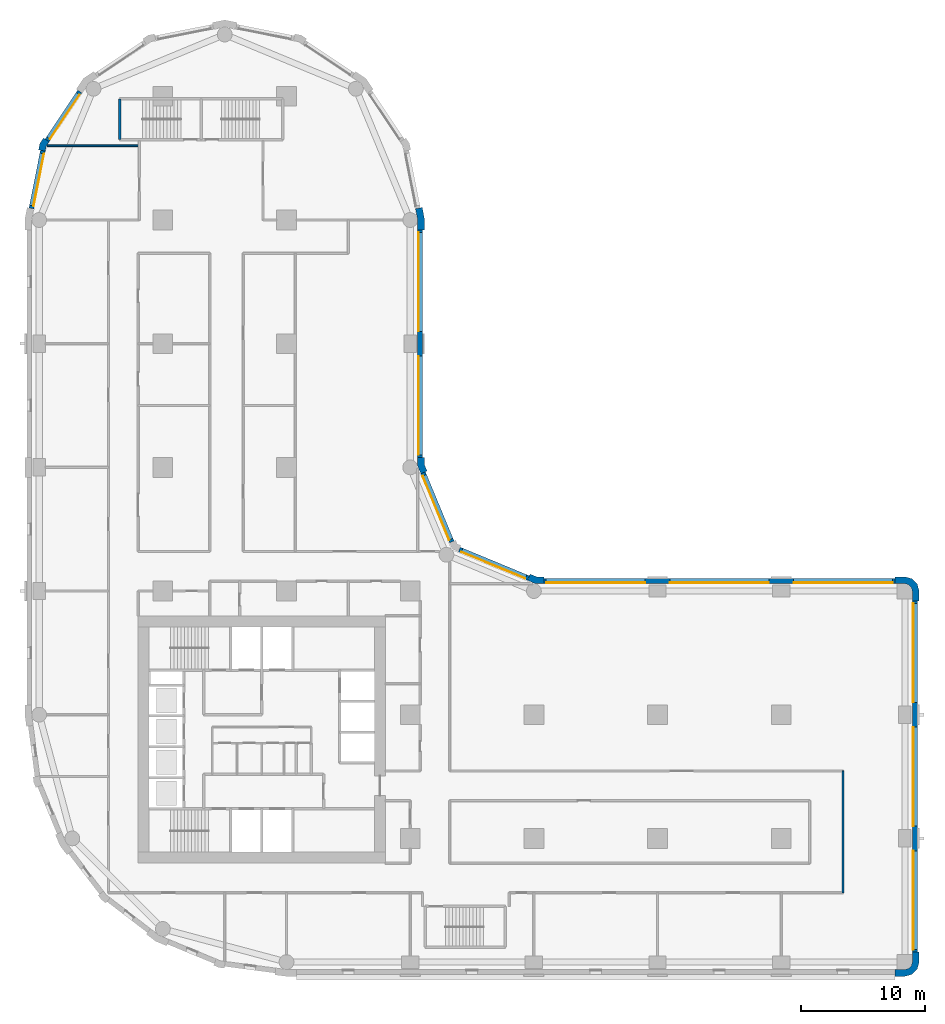
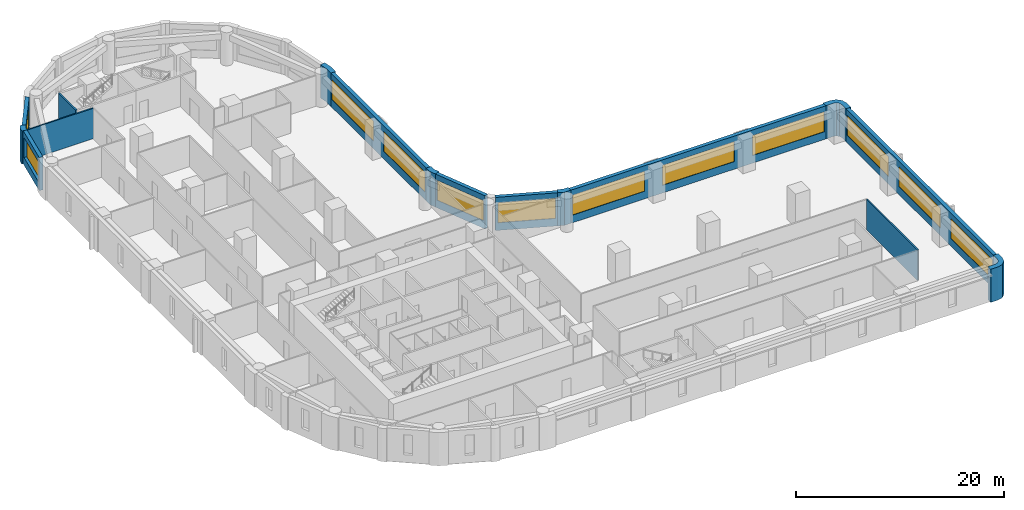
# One storey, part 6 of 10: 16 walls, 12 windows, 12 openings.
"""IFC4 building model written with IfcOpenShell, lengths in metres."""

import ifcopenshell
import ifcopenshell.guid

model = None  # the IFC model being written
_history = None  # IfcOwnerHistory: only IFC2X3 demands one
_inside = {}  # id of a spatial element -> (the spatial element, [elements in it])
_under = {}  # id of a project, library or spatial element -> (it, [spatial elements below it])
_declared = {}  # id of a project -> (the project, [libraries it declares])
_typed = {}  # id of a type object -> (the type object, [elements of that type])
_made_of = {}  # id of a material, layer set ... -> (it, [elements and type objects made of it])


def new_model(schema):
    """Start an empty IFC model of exactly this schema.

    Asked for "IFC4X3", IfcOpenShell would pick the latest addendum, in which some entities
    have other attributes; the version numbers below select the first issue.
    IFC2X3 requires an IfcOwnerHistory on every rooted entity: one is made here for all.
    """
    global model, _history
    if schema == "IFC4X3":
        model = ifcopenshell.file(schema_version=(4, 3, 0, 0))
    else:
        model = ifcopenshell.file(schema=schema)
    _inside.clear()
    _under.clear()
    _declared.clear()
    _typed.clear()
    _made_of.clear()
    _history = None
    if model.schema == "IFC2X3":
        org = make("IfcOrganization", Name="unknown")
        user = make(
            "IfcPersonAndOrganization",
            ThePerson=make("IfcPerson", FamilyName="unknown"),
            TheOrganization=org,
        )
        app = make(
            "IfcApplication",
            ApplicationDeveloper=org,
            Version="unknown",
            ApplicationFullName="unknown",
            ApplicationIdentifier="unknown",
        )
        _history = make(
            "IfcOwnerHistory",
            OwningUser=user,
            OwningApplication=app,
            ChangeAction="ADDED",
            CreationDate=0,
        )
    return model


def make(cls, **values):
    """One entity of the class cls with the attributes given. An attribute that is None is left unset."""
    return model.create_entity(
        cls, **{name: value for name, value in values.items() if value is not None}
    )


def rooted(cls, **values):
    """An entity with a GlobalId (a new one), such as an element, a storey or a relation."""
    return make(cls, GlobalId=ifcopenshell.guid.new(), OwnerHistory=_history, **values)


def si_unit(unit_type, name, prefix=None):
    """IfcSIUnit, for example si_unit("LENGTHUNIT", "METRE", prefix="MILLI")."""
    return make("IfcSIUnit", UnitType=unit_type, Prefix=prefix, Name=name)


def assignment(units):
    """IfcUnitAssignment: the units of a project."""
    return None if units is None else make("IfcUnitAssignment", Units=units)


def point(xyz):
    """IfcCartesianPoint."""
    return None if xyz is None else make("IfcCartesianPoint", Coordinates=xyz)


def direction(xyz):
    """IfcDirection."""
    return None if xyz is None else make("IfcDirection", DirectionRatios=xyz)


def frame(location, z_axis=None, x_axis=None):
    """IfcAxis2Placement3D, a coordinate frame: its origin and axes. An axis left out is left unset."""
    return make(
        "IfcAxis2Placement3D",
        Location=point(location),
        Axis=direction(z_axis),
        RefDirection=direction(x_axis),
    )


def frame_2d(location, x_axis=None):
    """IfcAxis2Placement2D, a coordinate frame in the plane: its origin and x axis."""
    return make(
        "IfcAxis2Placement2D", Location=point(location), RefDirection=direction(x_axis)
    )


def origin():
    """The frame at (0, 0, 0) with its axes left unset."""
    return frame((0.0, 0.0, 0.0))


def place(relative_to, where):
    """IfcLocalPlacement: puts the frame where relative to a parent placement (None: the world)."""
    return make(
        "IfcLocalPlacement", PlacementRelTo=relative_to, RelativePlacement=where
    )


def context(
    kind, dimensions, precision=None, world=None, true_north=None, identifier=None
):
    """IfcGeometricRepresentationContext, for example the 3D "Model" context."""
    return make(
        "IfcGeometricRepresentationContext",
        ContextIdentifier=identifier,
        ContextType=kind,
        CoordinateSpaceDimension=dimensions,
        Precision=precision,
        WorldCoordinateSystem=world,
        TrueNorth=true_north,
    )


def subcontext(parent, identifier, kind, view, scale=None):
    """IfcGeometricRepresentationSubContext, for example "Body" below "Model"."""
    return make(
        "IfcGeometricRepresentationSubContext",
        ContextIdentifier=identifier,
        ContextType=kind,
        ParentContext=parent,
        TargetScale=scale,
        TargetView=view,
    )


def project(units=None, contexts=None):
    """IfcProject with its units and contexts."""
    return rooted(
        "IfcProject",
        Name="project",
        RepresentationContexts=contexts,
        UnitsInContext=assignment(units),
    )


def spatial(cls, under=None, at=None, **own):
    """A site, building, storey or space (cls), placed at a placement, below another one or the project."""
    s = rooted(cls, ObjectPlacement=at, **own)
    if under is not None:
        _under.setdefault(under.id(), (under, []))[1].append(s)
    return s


def polyline(points):
    """IfcPolyline through the points."""
    return make("IfcPolyline", Points=[point(p) for p in points])


def profile(cls, at=None, kind="AREA", **sizes):
    """A parametric profile (cls). Its sizes go by their IFC names, for example OverallWidth=200.0."""
    return make(cls, ProfileType=kind, Position=at, **sizes)


def rectangle(**sizes):
    """IfcRectangleProfileDef."""
    return profile("IfcRectangleProfileDef", **sizes)


def outline(outer, holes=None, kind="AREA"):
    """IfcArbitraryClosedProfileDef: a profile drawn as a closed curve; with holes, ...WithVoids."""
    if holes is None:
        return make("IfcArbitraryClosedProfileDef", ProfileType=kind, OuterCurve=outer)
    return make(
        "IfcArbitraryProfileDefWithVoids",
        ProfileType=kind,
        OuterCurve=outer,
        InnerCurves=holes,
    )


def extrude(swept, where, along, depth):
    """IfcExtrudedAreaSolid: the profile swept, set in the frame where, extruded along a direction by depth."""
    return make(
        "IfcExtrudedAreaSolid",
        SweptArea=swept,
        Position=where,
        ExtrudedDirection=direction(along),
        Depth=depth,
    )


def shape(context_of_items, identifier, shape_type, items):
    """IfcShapeRepresentation: the items that make up one representation, for example the "Body"."""
    return make(
        "IfcShapeRepresentation",
        ContextOfItems=context_of_items,
        RepresentationIdentifier=identifier,
        RepresentationType=shape_type,
        Items=items,
    )


def material(Name=None, Category=None):
    """IfcMaterial."""
    return make("IfcMaterial", Name=Name, Category=Category)


def layer(
    of_material, thickness, ventilated=None, Name=None, Category=None, Priority=None
):
    """IfcMaterialLayer: one layer of a wall or slab, of a material (None: an air gap)."""
    return make(
        "IfcMaterialLayer",
        Material=of_material,
        LayerThickness=thickness,
        IsVentilated=ventilated,
        Name=Name,
        Category=Category,
        Priority=Priority,
    )


def layer_set(layers, Name=None):
    """IfcMaterialLayerSet."""
    return make("IfcMaterialLayerSet", MaterialLayers=layers, LayerSetName=Name)


def made_of(thing, what):
    """Note that an element or type object is made of a material, layer set ...; save() writes the relation."""
    if what is not None:
        _made_of.setdefault(what.id(), (what, []))[1].append(thing)
    return thing


def type_object(cls, material=None, **own):
    """A type object (cls), such as IfcWallType, which elements share."""
    return made_of(rooted(cls, **own), material)


def element(
    cls,
    number,
    at=None,
    inside=None,
    cuts=None,
    type_object=None,
    material=None,
    context=None,
    identifier="Body",
    shape_type=None,
    held_by="IfcProductDefinitionShape",
    body=None,
    shapes=None,
    **own,
):
    """One element of the class cls, such as IfcWall. Its Tag is "e" and its number.

    at: its placement. inside: the storey or other place that contains it. cuts: it is an
    opening in that element (IfcRelVoidsElement). A single representation is given by context,
    identifier, shape_type and body (its items); several are given by shapes. held_by: the class
    of the entity that holds the representations. save() writes the other relations.
    """
    e = rooted(cls, Tag="e%d" % number, ObjectPlacement=at, **own)
    if body is not None:
        shapes = [shape(context, identifier, shape_type, body)]
    if shapes is not None:
        e.Representation = make(held_by, Representations=shapes)
    if inside is not None:
        _inside.setdefault(inside.id(), (inside, []))[1].append(e)
    if cuts is not None:
        rooted(
            "IfcRelVoidsElement", RelatingBuildingElement=cuts, RelatedOpeningElement=e
        )
    if type_object is not None:
        _typed.setdefault(type_object.id(), (type_object, []))[1].append(e)
    return made_of(e, material)


def fill(opening, filler):
    """IfcRelFillsElement: the door or window that sits in an opening."""
    return rooted(
        "IfcRelFillsElement",
        RelatingOpeningElement=opening,
        RelatedBuildingElement=filler,
    )


def aggregate(whole, parts):
    """IfcRelAggregates: a whole, such as a stair, and the parts it consists of."""
    return rooted("IfcRelAggregates", RelatingObject=whole, RelatedObjects=parts)


def save(model, path):
    """Write the relations noted so far, then the file.

    IfcRelAggregates (storeys below a building ...), IfcRelContainedInSpatialStructure (elements
    in a storey), IfcRelDefinesByType, IfcRelAssociatesMaterial and IfcRelDeclares: one each for
    every whole, place, type object, material and project.
    """
    for whole, parts in _under.values():
        aggregate(whole, parts)
    for where, things in _inside.values():
        rooted(
            "IfcRelContainedInSpatialStructure",
            RelatedElements=things,
            RelatingStructure=where,
        )
    for kind, things in _typed.values():
        rooted("IfcRelDefinesByType", RelatedObjects=things, RelatingType=kind)
    for what, things in _made_of.values():
        rooted("IfcRelAssociatesMaterial", RelatedObjects=things, RelatingMaterial=what)
    for by, libraries in _declared.values():
        rooted("IfcRelDeclares", RelatingContext=by, RelatedDefinitions=libraries)
    model.write(path)


model = new_model("IFC4")

# Units and contexts
model_context = context("Model", 3, precision=1e-05, world=origin(), true_north=direction((0.0, 1.0)))
body_context = subcontext(model_context, "Body", "Model", "MODEL_VIEW")
ifc_project = project(units=[si_unit("LENGTHUNIT", "METRE"), si_unit("AREAUNIT", "SQUARE_METRE"), si_unit("VOLUMEUNIT", "CUBIC_METRE"), si_unit("PLANEANGLEUNIT", "RADIAN"), si_unit("MASSUNIT", "GRAM", prefix="KILO")], contexts=[model_context])

# Site, building, storey
site_placement = place(None, origin())
site = spatial("IfcSite", under=ifc_project, at=site_placement, CompositionType="ELEMENT")
building_placement = place(site_placement, origin())
building = spatial("IfcBuilding", under=site, at=building_placement, Name="Qaws Garden Tower", CompositionType="ELEMENT")
storey_placement = place(building_placement, frame((0.0, 0.0, 101.699951171875)))
storey = spatial("IfcBuildingStorey", under=building, at=storey_placement, Name="L25", CompositionType="ELEMENT", Elevation=101.699951171875)

# Walls
ifc_material_1 = material(Name="Clay facing brick masonry", Category="masonry")
ifc_layer_1 = layer(ifc_material_1, 0.550048828125)
ifc_layer_set_1 = layer_set([ifc_layer_1], Name="Clay facing brick masonry")
wall_type_1 = type_object("IfcWallType", Name="Brick corner pier 550 x 2400", PredefinedType="SOLIDWALL", material=ifc_layer_set_1)
placement = place(storey_placement, origin())
element("IfcWall", 1, at=placement, inside=storey, type_object=wall_type_1, Name="E-L25-pier-05", PredefinedType="SOLIDWALL", context=body_context, shape_type="SweptSolid", body=[
    extrude(outline(polyline([(69.199951171875, -1.0), (69.199951171875, -1.14990234375), (70.0, -1.14990234375), (70.574951171875, -0.995849609375), (70.995849609375, -0.574951171875), (71.14990234375, 0.0), (71.14990234375, 0.800048828125), (71.0, 0.800048828125), (70.60009765625, 0.800048828125), (70.60009765625, 0.0), (70.51953125, -0.300048828125), (70.300048828125, -0.51953125), (70.0, -0.60009765625), (69.199951171875, -0.60009765625), (69.199951171875, -1.0)])), origin(), (0.0, 0.0, 1.0), 3.900146484375),
])
element("IfcWall", 2, at=placement, inside=storey, type_object=wall_type_1, Name="E-L25-pier-08", PredefinedType="SOLIDWALL", context=body_context, shape_type="SweptSolid", body=[
    extrude(outline(polyline([(71.0, 29.199951171875), (71.14990234375, 29.199951171875), (71.14990234375, 30.0), (70.995849609375, 30.574951171875), (70.574951171875, 30.995849609375), (70.0, 31.14990234375), (69.199951171875, 31.14990234375), (69.199951171875, 31.0), (69.199951171875, 30.60009765625), (70.0, 30.60009765625), (70.300048828125, 30.51953125), (70.51953125, 30.300048828125), (70.60009765625, 30.0), (70.60009765625, 29.199951171875), (71.0, 29.199951171875)])), origin(), (0.0, 0.0, 1.0), 3.900146484375),
])

# Wall, openings, windows
ifc_material_2 = material(Name="Clay facing brick masonry", Category="masonry")
ifc_layer_2 = layer(ifc_material_2, 0.39990234375)
ifc_layer_set_2 = layer_set([ifc_layer_2], Name="Clay facing brick masonry")
wall_type_2 = type_object("IfcWallType", Name="Brick infill wall 400", PredefinedType="SOLIDWALL", material=ifc_layer_set_2)
wall_3_placement = place(storey_placement, frame((70.800048828125, 0.800048828125, 0.0), z_axis=(0.0, 0.0, 1.0), x_axis=(0.0, 1.0, 0.0)))
wall_3 = element("IfcWall", 3, at=wall_3_placement, inside=storey, type_object=wall_type_2, Name="E-L25-infill-05", PredefinedType="SOLIDWALL", context=body_context, shape_type="SweptSolid", body=[
    extrude(rectangle(XDim=28.39990234375, YDim=0.39990234375, at=frame_2d((14.199951171875, 0.0))), origin(), (0.0, 0.0, 1.0), 3.900146484375),
])
opening_1_placement = place(wall_3_placement, frame((0.199951171875, 0.0, 0.89990234375)))
opening_1 = element("IfcOpeningElement", 4, at=opening_1_placement, cuts=wall_3, Name="Opening W01", PredefinedType="OPENING", context=body_context, shape_type="SweptSolid", body=[
    extrude(rectangle(XDim=8.0, YDim=2.35009765625, at=frame_2d((4.0, 1.175048828125))), frame((0.0, 0.2099609375, 0.0), z_axis=(0.0, -1.0, 0.0), x_axis=(1.0, 0.0, 0.0)), (0.0, 0.0, 1.0), 0.419921875),
])
opening_2_placement = place(wall_3_placement, frame((10.199951171875, 0.0, 0.89990234375)))
opening_2 = element("IfcOpeningElement", 5, at=opening_2_placement, cuts=wall_3, Name="Opening W01", PredefinedType="OPENING", context=body_context, shape_type="SweptSolid", body=[
    extrude(rectangle(XDim=8.0, YDim=2.35009765625, at=frame_2d((4.0, 1.175048828125))), frame((0.0, 0.2099609375, 0.0), z_axis=(0.0, -1.0, 0.0), x_axis=(1.0, 0.0, 0.0)), (0.0, 0.0, 1.0), 0.419921875),
])
opening_3_placement = place(wall_3_placement, frame((20.199951171875, 0.0, 0.89990234375)))
opening_3 = element("IfcOpeningElement", 6, at=opening_3_placement, cuts=wall_3, Name="Opening W01", PredefinedType="OPENING", context=body_context, shape_type="SweptSolid", body=[
    extrude(rectangle(XDim=8.0, YDim=2.35009765625, at=frame_2d((4.0, 1.175048828125))), frame((0.0, 0.2099609375, 0.0), z_axis=(0.0, -1.0, 0.0), x_axis=(1.0, 0.0, 0.0)), (0.0, 0.0, 1.0), 0.419921875),
])
ifc_material_3 = material(Name="Aluminium framed window, clear glazing", Category="aluminium")
window_type_1 = type_object("IfcWindowType", Name="Ribbon window 8000 x 2350", PartitioningType="DOUBLE_PANEL_VERTICAL", PredefinedType="WINDOW", material=ifc_material_3)
window_1_placement = place(opening_1_placement, origin())
window_1 = element("IfcWindow", 7, at=window_1_placement, inside=storey, type_object=window_type_1, Name="E-L25-window-05-0", OverallHeight=2.35009765625, OverallWidth=8.0, PartitioningType="SINGLE_PANEL", PredefinedType="WINDOW", context=body_context, shape_type="SweptSolid", body=[
    extrude(rectangle(XDim=8.0, YDim=2.35009765625, at=frame_2d((4.0, 1.175048828125))), frame((0.0, 0.159912109375, 0.0), z_axis=(0.0, -1.0, 0.0), x_axis=(1.0, 0.0, 0.0)), (0.0, 0.0, 1.0), 0.06005859375),
])
fill(opening_1, window_1)
window_2_placement = place(opening_2_placement, origin())
window_2 = element("IfcWindow", 8, at=window_2_placement, inside=storey, type_object=window_type_1, Name="E-L25-window-06-0", OverallHeight=2.35009765625, OverallWidth=8.0, PartitioningType="SINGLE_PANEL", PredefinedType="WINDOW", context=body_context, shape_type="SweptSolid", body=[
    extrude(rectangle(XDim=8.0, YDim=2.35009765625, at=frame_2d((4.0, 1.175048828125))), frame((0.0, 0.159912109375, 0.0), z_axis=(0.0, -1.0, 0.0), x_axis=(1.0, 0.0, 0.0)), (0.0, 0.0, 1.0), 0.06005859375),
])
fill(opening_2, window_2)
window_3_placement = place(opening_3_placement, origin())
window_3 = element("IfcWindow", 9, at=window_3_placement, inside=storey, type_object=window_type_1, Name="E-L25-window-07-0", OverallHeight=2.35009765625, OverallWidth=8.0, PartitioningType="SINGLE_PANEL", PredefinedType="WINDOW", context=body_context, shape_type="SweptSolid", body=[
    extrude(rectangle(XDim=8.0, YDim=2.35009765625, at=frame_2d((4.0, 1.175048828125))), frame((0.0, 0.159912109375, 0.0), z_axis=(0.0, -1.0, 0.0), x_axis=(1.0, 0.0, 0.0)), (0.0, 0.0, 1.0), 0.06005859375),
])
fill(opening_3, window_3)

wall_4_placement = place(storey_placement, frame((69.199951171875, 30.800048828125, 0.0), z_axis=(0.0, 0.0, 1.0), x_axis=(-1.0, 0.0, 0.0)))
wall_4 = element("IfcWall", 10, at=wall_4_placement, inside=storey, type_object=wall_type_2, Name="E-L25-infill-08", PredefinedType="SOLIDWALL", context=body_context, shape_type="SweptSolid", body=[
    extrude(rectangle(XDim=28.39990234375, YDim=0.39990234375, at=frame_2d((14.199951171875, 0.0))), origin(), (0.0, 0.0, 1.0), 3.900146484375),
])
opening_4_placement = place(wall_4_placement, frame((0.199951171875, 0.0, 0.89990234375)))
opening_4 = element("IfcOpeningElement", 11, at=opening_4_placement, cuts=wall_4, Name="Opening W01", PredefinedType="OPENING", context=body_context, shape_type="SweptSolid", body=[
    extrude(rectangle(XDim=8.0, YDim=2.35009765625, at=frame_2d((4.0, 1.175048828125))), frame((0.0, 0.2099609375, 0.0), z_axis=(0.0, -1.0, 0.0), x_axis=(1.0, 0.0, 0.0)), (0.0, 0.0, 1.0), 0.419921875),
])
opening_5_placement = place(wall_4_placement, frame((10.199951171875, 0.0, 0.89990234375)))
opening_5 = element("IfcOpeningElement", 12, at=opening_5_placement, cuts=wall_4, Name="Opening W01", PredefinedType="OPENING", context=body_context, shape_type="SweptSolid", body=[
    extrude(rectangle(XDim=8.0, YDim=2.35009765625, at=frame_2d((4.0, 1.175048828125))), frame((0.0, 0.2099609375, 0.0), z_axis=(0.0, -1.0, 0.0), x_axis=(1.0, 0.0, 0.0)), (0.0, 0.0, 1.0), 0.419921875),
])
opening_6_placement = place(wall_4_placement, frame((20.199951171875, 0.0, 0.89990234375)))
opening_6 = element("IfcOpeningElement", 13, at=opening_6_placement, cuts=wall_4, Name="Opening W01", PredefinedType="OPENING", context=body_context, shape_type="SweptSolid", body=[
    extrude(rectangle(XDim=8.0, YDim=2.35009765625, at=frame_2d((4.0, 1.175048828125))), frame((0.0, 0.2099609375, 0.0), z_axis=(0.0, -1.0, 0.0), x_axis=(1.0, 0.0, 0.0)), (0.0, 0.0, 1.0), 0.419921875),
])
window_4_placement = place(opening_4_placement, origin())
window_4 = element("IfcWindow", 14, at=window_4_placement, inside=storey, type_object=window_type_1, Name="E-L25-window-08-0", OverallHeight=2.35009765625, OverallWidth=8.0, PartitioningType="SINGLE_PANEL", PredefinedType="WINDOW", context=body_context, shape_type="SweptSolid", body=[
    extrude(rectangle(XDim=8.0, YDim=2.35009765625, at=frame_2d((4.0, 1.175048828125))), frame((0.0, 0.159912109375, 0.0), z_axis=(0.0, -1.0, 0.0), x_axis=(1.0, 0.0, 0.0)), (0.0, 0.0, 1.0), 0.06005859375),
])
fill(opening_4, window_4)
window_5_placement = place(opening_5_placement, origin())
window_5 = element("IfcWindow", 15, at=window_5_placement, inside=storey, type_object=window_type_1, Name="E-L25-window-09-0", OverallHeight=2.35009765625, OverallWidth=8.0, PartitioningType="SINGLE_PANEL", PredefinedType="WINDOW", context=body_context, shape_type="SweptSolid", body=[
    extrude(rectangle(XDim=8.0, YDim=2.35009765625, at=frame_2d((4.0, 1.175048828125))), frame((0.0, 0.159912109375, 0.0), z_axis=(0.0, -1.0, 0.0), x_axis=(1.0, 0.0, 0.0)), (0.0, 0.0, 1.0), 0.06005859375),
])
fill(opening_5, window_5)
window_6_placement = place(opening_6_placement, origin())
window_6 = element("IfcWindow", 16, at=window_6_placement, inside=storey, type_object=window_type_1, Name="E-L25-window-10-0", OverallHeight=2.35009765625, OverallWidth=8.0, PartitioningType="SINGLE_PANEL", PredefinedType="WINDOW", context=body_context, shape_type="SweptSolid", body=[
    extrude(rectangle(XDim=8.0, YDim=2.35009765625, at=frame_2d((4.0, 1.175048828125))), frame((0.0, 0.159912109375, 0.0), z_axis=(0.0, -1.0, 0.0), x_axis=(1.0, 0.0, 0.0)), (0.0, 0.0, 1.0), 0.06005859375),
])
fill(opening_6, window_6)

# Wall, opening, window
wall_5_placement = place(storey_placement, frame((39.56689453125, 31.04541015625, 0.0), z_axis=(0.0, 0.0, 1.0), x_axis=(-0.923891000409, 0.382655745237, 0.0)))
wall_5 = element("IfcWall", 17, at=wall_5_placement, inside=storey, type_object=wall_type_2, Name="E-L25-infill-11", PredefinedType="SOLIDWALL", context=body_context, shape_type="SweptSolid", body=[
    extrude(rectangle(XDim=6.053466796875, YDim=0.39990234375, at=frame_2d((3.02685546875, 0.0))), origin(), (0.0, 0.0, 1.0), 3.900146484375),
])
opening_7_placement = place(wall_5_placement, frame((0.226806640625, 0.0, 0.89990234375)))
opening_7 = element("IfcOpeningElement", 18, at=opening_7_placement, cuts=wall_5, Name="Opening W04", PredefinedType="OPENING", context=body_context, shape_type="SweptSolid", body=[
    extrude(rectangle(XDim=5.60009765625, YDim=2.35009765625, at=frame_2d((2.800048828125, 1.175048828125))), frame((0.0, 0.2099609375, 0.0), z_axis=(0.0, -1.0, 0.0), x_axis=(1.0, 0.0, 0.0)), (0.0, 0.0, 1.0), 0.419921875),
])
ifc_material_4 = material(Name="Aluminium framed window, clear glazing", Category="aluminium")
window_type_2 = type_object("IfcWindowType", Name="Ribbon window 5600 x 2350", PartitioningType="DOUBLE_PANEL_VERTICAL", PredefinedType="WINDOW", material=ifc_material_4)
window_7_placement = place(opening_7_placement, origin())
window_7 = element("IfcWindow", 19, at=window_7_placement, inside=storey, type_object=window_type_2, Name="E-L25-window-11-0", OverallHeight=2.35009765625, OverallWidth=5.60009765625, PartitioningType="SINGLE_PANEL", PredefinedType="WINDOW", context=body_context, shape_type="SweptSolid", body=[
    extrude(rectangle(XDim=5.60009765625, YDim=2.35009765625, at=frame_2d((2.800048828125, 1.175048828125))), frame((0.0, 0.159912109375, 0.0), z_axis=(0.0, -1.0, 0.0), x_axis=(1.0, 0.0, 0.0)), (0.0, 0.0, 1.0), 0.06005859375),
])
fill(opening_7, window_7)

wall_6_placement = place(storey_placement, frame((33.36181640625, 33.97412109375, 0.0), z_axis=(0.0, 0.0, 1.0), x_axis=(-0.382655745237, 0.923891000409, 0.0)))
wall_6 = element("IfcWall", 20, at=wall_6_placement, inside=storey, type_object=wall_type_2, Name="E-L25-infill-12", PredefinedType="SOLIDWALL", context=body_context, shape_type="SweptSolid", body=[
    extrude(rectangle(XDim=6.053466796875, YDim=0.39990234375, at=frame_2d((3.02685546875, 0.0))), origin(), (0.0, 0.0, 1.0), 3.900146484375),
])
opening_8_placement = place(wall_6_placement, frame((0.226806640625, 0.0, 0.89990234375)))
opening_8 = element("IfcOpeningElement", 21, at=opening_8_placement, cuts=wall_6, Name="Opening W04", PredefinedType="OPENING", context=body_context, shape_type="SweptSolid", body=[
    extrude(rectangle(XDim=5.60009765625, YDim=2.35009765625, at=frame_2d((2.800048828125, 1.175048828125))), frame((0.0, 0.2099609375, 0.0), z_axis=(0.0, -1.0, 0.0), x_axis=(1.0, 0.0, 0.0)), (0.0, 0.0, 1.0), 0.419921875),
])
window_8_placement = place(opening_8_placement, origin())
window_8 = element("IfcWindow", 22, at=window_8_placement, inside=storey, type_object=window_type_2, Name="E-L25-window-12-0", OverallHeight=2.35009765625, OverallWidth=5.60009765625, PartitioningType="SINGLE_PANEL", PredefinedType="WINDOW", context=body_context, shape_type="SweptSolid", body=[
    extrude(rectangle(XDim=5.60009765625, YDim=2.35009765625, at=frame_2d((2.800048828125, 1.175048828125))), frame((0.0, 0.159912109375, 0.0), z_axis=(0.0, -1.0, 0.0), x_axis=(1.0, 0.0, 0.0)), (0.0, 0.0, 1.0), 0.06005859375),
])
fill(opening_8, window_8)

# Wall, openings, windows
wall_7_placement = place(storey_placement, frame((30.800048828125, 40.800048828125, 0.0), z_axis=(0.0, 0.0, 1.0), x_axis=(0.0, 1.0, 0.0)))
wall_7 = element("IfcWall", 23, at=wall_7_placement, inside=storey, type_object=wall_type_2, Name="E-L25-infill-13", PredefinedType="SOLIDWALL", context=body_context, shape_type="SweptSolid", body=[
    extrude(rectangle(XDim=18.39990234375, YDim=0.39990234375, at=frame_2d((9.199951171875, 0.0))), origin(), (0.0, 0.0, 1.0), 3.900146484375),
])
opening_9_placement = place(wall_7_placement, frame((0.199951171875, 0.0, 0.89990234375)))
opening_9 = element("IfcOpeningElement", 24, at=opening_9_placement, cuts=wall_7, Name="Opening W01", PredefinedType="OPENING", context=body_context, shape_type="SweptSolid", body=[
    extrude(rectangle(XDim=8.0, YDim=2.35009765625, at=frame_2d((4.0, 1.175048828125))), frame((0.0, 0.2099609375, 0.0), z_axis=(0.0, -1.0, 0.0), x_axis=(1.0, 0.0, 0.0)), (0.0, 0.0, 1.0), 0.419921875),
])
opening_10_placement = place(wall_7_placement, frame((10.199951171875, 0.0, 0.89990234375)))
opening_10 = element("IfcOpeningElement", 25, at=opening_10_placement, cuts=wall_7, Name="Opening W01", PredefinedType="OPENING", context=body_context, shape_type="SweptSolid", body=[
    extrude(rectangle(XDim=8.0, YDim=2.35009765625, at=frame_2d((4.0, 1.175048828125))), frame((0.0, 0.2099609375, 0.0), z_axis=(0.0, -1.0, 0.0), x_axis=(1.0, 0.0, 0.0)), (0.0, 0.0, 1.0), 0.419921875),
])
window_9_placement = place(opening_9_placement, origin())
window_9 = element("IfcWindow", 26, at=window_9_placement, inside=storey, type_object=window_type_1, Name="E-L25-window-13-0", OverallHeight=2.35009765625, OverallWidth=8.0, PartitioningType="SINGLE_PANEL", PredefinedType="WINDOW", context=body_context, shape_type="SweptSolid", body=[
    extrude(rectangle(XDim=8.0, YDim=2.35009765625, at=frame_2d((4.0, 1.175048828125))), frame((0.0, 0.159912109375, 0.0), z_axis=(0.0, -1.0, 0.0), x_axis=(1.0, 0.0, 0.0)), (0.0, 0.0, 1.0), 0.06005859375),
])
fill(opening_9, window_9)
window_10_placement = place(opening_10_placement, origin())
window_10 = element("IfcWindow", 27, at=window_10_placement, inside=storey, type_object=window_type_1, Name="E-L25-window-14-0", OverallHeight=2.35009765625, OverallWidth=8.0, PartitioningType="SINGLE_PANEL", PredefinedType="WINDOW", context=body_context, shape_type="SweptSolid", body=[
    extrude(rectangle(XDim=8.0, YDim=2.35009765625, at=frame_2d((4.0, 1.175048828125))), frame((0.0, 0.159912109375, 0.0), z_axis=(0.0, -1.0, 0.0), x_axis=(1.0, 0.0, 0.0)), (0.0, 0.0, 1.0), 0.06005859375),
])
fill(opening_10, window_10)

# Wall, opening, window
wall_8_placement = place(storey_placement, frame((3.28369140625, 70.385986328125, 0.0), z_axis=(0.0, 0.0, 1.0), x_axis=(-0.555541552266, -0.831488775454, 0.0)))
wall_8 = element("IfcWall", 28, at=wall_8_placement, inside=storey, type_object=wall_type_2, Name="E-L25-infill-21", PredefinedType="SOLIDWALL", context=body_context, shape_type="SweptSolid", body=[
    extrude(rectangle(XDim=4.752685546875, YDim=0.39990234375, at=frame_2d((2.37646484375, 0.0))), origin(), (0.0, 0.0, 1.0), 3.900146484375),
])
opening_11_placement = place(wall_8_placement, frame((0.226318359375, 0.0, 0.89990234375)))
opening_11 = element("IfcOpeningElement", 29, at=opening_11_placement, cuts=wall_8, Name="Opening W06", PredefinedType="OPENING", context=body_context, shape_type="SweptSolid", body=[
    extrude(rectangle(XDim=4.300048828125, YDim=2.35009765625, at=frame_2d((2.14990234375, 1.175048828125))), frame((0.0, 0.2099609375, 0.0), z_axis=(0.0, -1.0, 0.0), x_axis=(1.0, 0.0, 0.0)), (0.0, 0.0, 1.0), 0.419921875),
])
ifc_material_5 = material(Name="Aluminium framed window, clear glazing", Category="aluminium")
window_type_3 = type_object("IfcWindowType", Name="Ribbon window 4300 x 2350", PartitioningType="DOUBLE_PANEL_VERTICAL", PredefinedType="WINDOW", material=ifc_material_5)
window_11_placement = place(opening_11_placement, origin())
window_11 = element("IfcWindow", 30, at=window_11_placement, inside=storey, type_object=window_type_3, Name="E-L25-window-21-0", OverallHeight=2.35009765625, OverallWidth=4.300048828125, PartitioningType="SINGLE_PANEL", PredefinedType="WINDOW", context=body_context, shape_type="SweptSolid", body=[
    extrude(rectangle(XDim=4.300048828125, YDim=2.35009765625, at=frame_2d((2.14990234375, 1.175048828125))), frame((0.0, 0.159912109375, 0.0), z_axis=(0.0, -1.0, 0.0), x_axis=(1.0, 0.0, 0.0)), (0.0, 0.0, 1.0), 0.06005859375),
])
fill(opening_11, window_11)

wall_9_placement = place(storey_placement, frame((0.298583984375, 65.60205078125, 0.0), z_axis=(0.0, 0.0, 1.0), x_axis=(-0.195098533057, -0.98078364709, 0.0)))
wall_9 = element("IfcWall", 31, at=wall_9_placement, inside=storey, type_object=wall_type_2, Name="E-L25-infill-22", PredefinedType="SOLIDWALL", context=body_context, shape_type="SweptSolid", body=[
    extrude(rectangle(XDim=4.752685546875, YDim=0.39990234375, at=frame_2d((2.37646484375, 0.0))), origin(), (0.0, 0.0, 1.0), 3.900146484375),
])
opening_12_placement = place(wall_9_placement, frame((0.226318359375, 0.0, 0.89990234375)))
opening_12 = element("IfcOpeningElement", 32, at=opening_12_placement, cuts=wall_9, Name="Opening W06", PredefinedType="OPENING", context=body_context, shape_type="SweptSolid", body=[
    extrude(rectangle(XDim=4.300048828125, YDim=2.35009765625, at=frame_2d((2.14990234375, 1.175048828125))), frame((0.0, 0.2099609375, 0.0), z_axis=(0.0, -1.0, 0.0), x_axis=(1.0, 0.0, 0.0)), (0.0, 0.0, 1.0), 0.419921875),
])
window_12_placement = place(opening_12_placement, origin())
window_12 = element("IfcWindow", 33, at=window_12_placement, inside=storey, type_object=window_type_3, Name="E-L25-window-22-0", OverallHeight=2.35009765625, OverallWidth=4.300048828125, PartitioningType="SINGLE_PANEL", PredefinedType="WINDOW", context=body_context, shape_type="SweptSolid", body=[
    extrude(rectangle(XDim=4.300048828125, YDim=2.35009765625, at=frame_2d((2.14990234375, 1.175048828125))), frame((0.0, 0.159912109375, 0.0), z_axis=(0.0, -1.0, 0.0), x_axis=(1.0, 0.0, 0.0)), (0.0, 0.0, 1.0), 0.06005859375),
])
fill(opening_12, window_12)

# Walls
ifc_material_6 = material(Name="Clay facing brick masonry", Category="masonry")
ifc_layer_3 = layer(ifc_material_6, 0.550048828125)
ifc_layer_set_3 = layer_set([ifc_layer_3], Name="Clay facing brick masonry")
wall_type_3 = type_object("IfcWallType", Name="Brick kink pier 550 x 600", PredefinedType="SOLIDWALL", material=ifc_layer_set_3)
element("IfcWall", 34, at=placement, inside=storey, type_object=wall_type_3, Name="E-L25-pier-22", PredefinedType="SOLIDWALL", context=body_context, shape_type="SweptSolid", body=[
    extrude(outline(polyline([(0.47705078125, 66.545166015625), (0.352294921875, 66.628662109375), (0.05859375, 66.18896484375), (-0.044677734375, 65.67041015625), (0.1025390625, 65.64111328125), (0.494873046875, 65.56298828125), (0.57666015625, 65.974365234375), (0.8095703125, 66.322998046875), (0.47705078125, 66.545166015625)])), origin(), (0.0, 0.0, 1.0), 3.900146484375),
])
ifc_material_7 = material(Name="Clay facing brick masonry", Category="masonry")
ifc_layer_4 = layer(ifc_material_7, 0.550048828125)
ifc_layer_set_4 = layer_set([ifc_layer_4], Name="Clay facing brick masonry")
wall_type_4 = type_object("IfcWallType", Name="Brick pier 550 x 1600", PredefinedType="SOLIDWALL", material=ifc_layer_set_4)
element("IfcWall", 35, at=placement, inside=storey, type_object=wall_type_4, Name="E-L25-pier-11", PredefinedType="SOLIDWALL", context=body_context, shape_type="SweptSolid", body=[
    extrude(outline(polyline([(40.800048828125, 31.0), (40.800048828125, 31.14990234375), (40.228759765625, 31.14990234375), (39.700927734375, 31.36865234375), (39.6435546875, 31.22998046875), (39.490478515625, 30.860595703125), (40.119384765625, 30.60009765625), (40.800048828125, 30.60009765625), (40.800048828125, 31.0)])), origin(), (0.0, 0.0, 1.0), 3.900146484375),
])
element("IfcWall", 36, at=placement, inside=storey, type_object=wall_type_4, Name="E-L25-pier-13", PredefinedType="SOLIDWALL", context=body_context, shape_type="SweptSolid", body=[
    extrude(outline(polyline([(31.22998046875, 39.6435546875), (31.36865234375, 39.700927734375), (31.14990234375, 40.228759765625), (31.14990234375, 40.800048828125), (31.0, 40.800048828125), (30.60009765625, 40.800048828125), (30.60009765625, 40.119384765625), (30.860595703125, 39.490478515625), (31.22998046875, 39.6435546875)])), origin(), (0.0, 0.0, 1.0), 3.900146484375),
])
element("IfcWall", 37, at=placement, inside=storey, type_object=wall_type_4, Name="E-L25-pier-15", PredefinedType="SOLIDWALL", context=body_context, shape_type="SweptSolid", body=[
    extrude(outline(polyline([(31.0, 59.199951171875), (31.14990234375, 59.199951171875), (31.14990234375, 60.11328125), (30.971923828125, 61.009033203125), (30.82470703125, 60.979736328125), (30.432373046875, 60.901611328125), (30.60009765625, 60.05908203125), (30.60009765625, 59.199951171875), (31.0, 59.199951171875)])), origin(), (0.0, 0.0, 1.0), 3.900146484375),
])
ifc_material_8 = material(Name="Concrete C80", Category="concrete")
ifc_layer_5 = layer(ifc_material_8, 0.199951171875)
ifc_layer_set_5 = layer_set([ifc_layer_5], Name="Concrete C80")
wall_type_5 = type_object("IfcWallType", Name="Core shaft wall 200 C80", PredefinedType="SHEAR", material=ifc_layer_set_5)
wall_14_placement = place(storey_placement, frame((6.5, 66.5, 0.0), z_axis=(0.0, 0.0, 1.0), x_axis=(0.0, 1.0, 0.0)))
element("IfcWall", 38, at=wall_14_placement, inside=storey, type_object=wall_type_5, Name="Shaft wall", PredefinedType="SHEAR", context=body_context, shape_type="SweptSolid", body=[
    extrude(rectangle(XDim=3.300048828125, YDim=0.199951171875, at=frame_2d((1.64990234375, 0.0))), origin(), (0.0, 0.0, 1.0), 3.580078125),
])
ifc_material_9 = material(Name="Gypsum board partition")
ifc_layer_6 = layer(ifc_material_9, 0.14990234375)
ifc_layer_set_6 = layer_set([ifc_layer_6], Name="Gypsum board partition")
wall_type_6 = type_object("IfcWallType", Name="PARTITION 150 EI 60", PredefinedType="PARTITIONING", material=ifc_layer_set_6)
wall_15_placement = place(storey_placement, frame((65.0, 5.60009765625, 0.0), z_axis=(0.0, 0.0, 1.0), x_axis=(0.0, 1.0, 0.0)))
element("IfcWall", 39, at=wall_15_placement, inside=storey, type_object=wall_type_6, Name="O-L25-wall-030", PredefinedType="PARTITIONING", context=body_context, shape_type="SweptSolid", body=[
    extrude(rectangle(XDim=9.849853515625, YDim=0.14990234375, at=frame_2d((4.9248046875, 0.0))), origin(), (0.0, 0.0, 1.0), 3.580078125),
])
wall_16_placement = place(storey_placement, frame((0.643798828125, 66.0, 0.0), z_axis=(0.0, 0.0, 1.0), x_axis=(1.0, 0.0, 0.0)))
element("IfcWall", 40, at=wall_16_placement, inside=storey, type_object=wall_type_6, Name="O-L25-wall-062", PredefinedType="PARTITIONING", context=body_context, shape_type="SweptSolid", body=[
    extrude(rectangle(XDim=7.456298828125, YDim=0.14990234375, at=frame_2d((3.72802734375, 0.0))), origin(), (0.0, 0.0, 1.0), 3.580078125),
])

save(model, "model.ifc")
